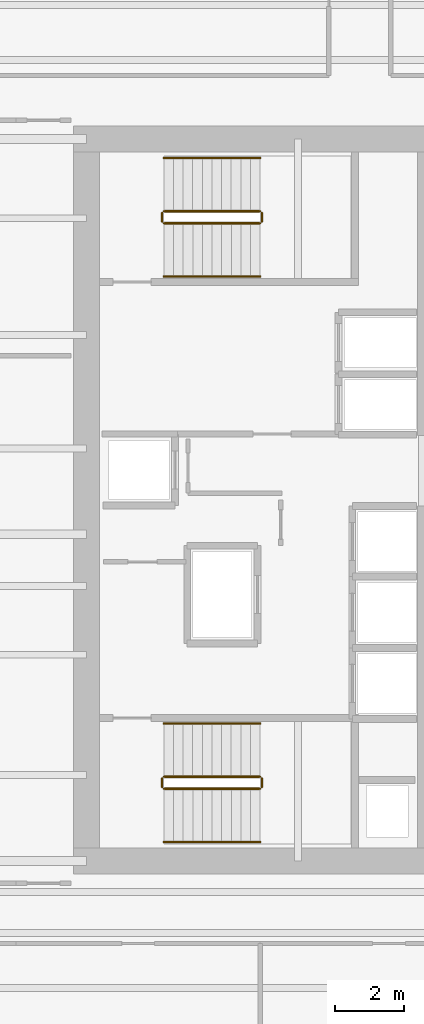
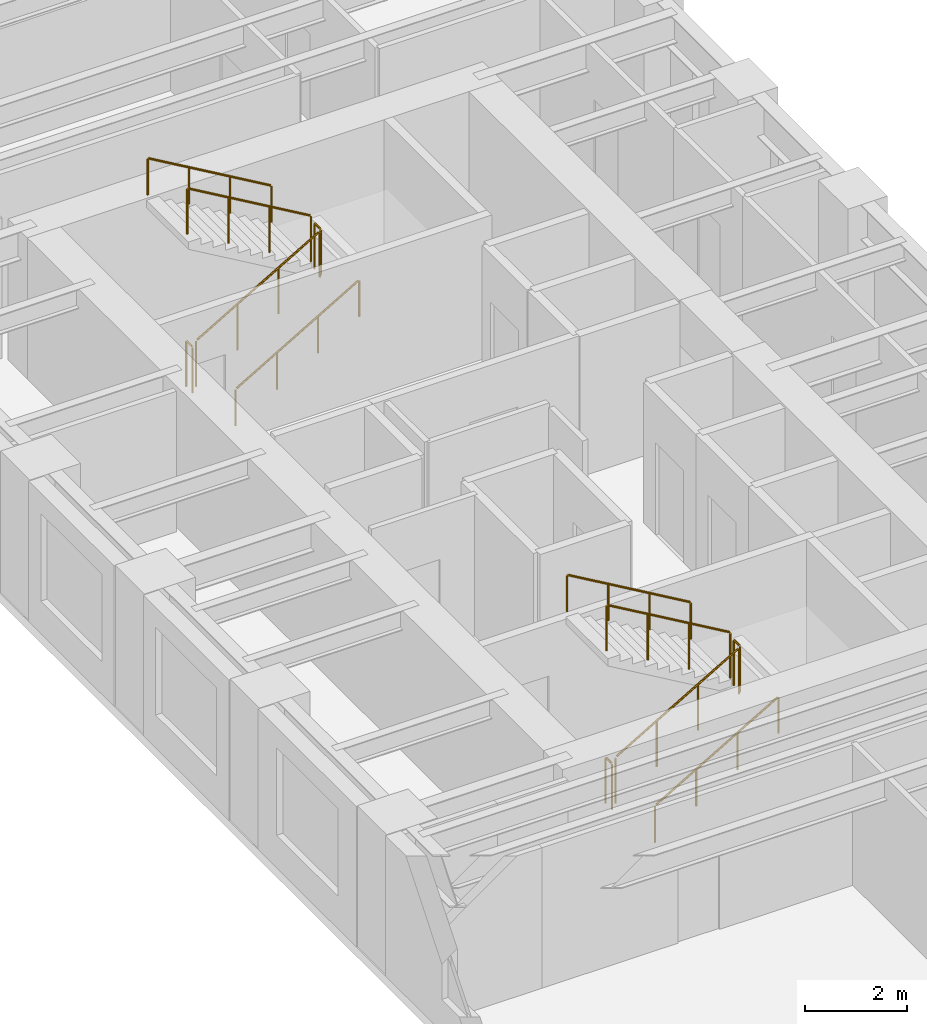
# One storey, part 13 of 14: 12 railings.
"""IFC4 building model written with IfcOpenShell, lengths in metres."""

import ifcopenshell
import ifcopenshell.guid

model = None  # the IFC model being written
_history = None  # IfcOwnerHistory: only IFC2X3 demands one
_inside = {}  # id of a spatial element -> (the spatial element, [elements in it])
_under = {}  # id of a project, library or spatial element -> (it, [spatial elements below it])
_declared = {}  # id of a project -> (the project, [libraries it declares])
_typed = {}  # id of a type object -> (the type object, [elements of that type])
_made_of = {}  # id of a material, layer set ... -> (it, [elements and type objects made of it])


def new_model(schema):
    """Start an empty IFC model of exactly this schema.

    Asked for "IFC4X3", IfcOpenShell would pick the latest addendum, in which some entities
    have other attributes; the version numbers below select the first issue.
    IFC2X3 requires an IfcOwnerHistory on every rooted entity: one is made here for all.
    """
    global model, _history
    if schema == "IFC4X3":
        model = ifcopenshell.file(schema_version=(4, 3, 0, 0))
    else:
        model = ifcopenshell.file(schema=schema)
    _inside.clear()
    _under.clear()
    _declared.clear()
    _typed.clear()
    _made_of.clear()
    _history = None
    if model.schema == "IFC2X3":
        org = make("IfcOrganization", Name="unknown")
        user = make(
            "IfcPersonAndOrganization",
            ThePerson=make("IfcPerson", FamilyName="unknown"),
            TheOrganization=org,
        )
        app = make(
            "IfcApplication",
            ApplicationDeveloper=org,
            Version="unknown",
            ApplicationFullName="unknown",
            ApplicationIdentifier="unknown",
        )
        _history = make(
            "IfcOwnerHistory",
            OwningUser=user,
            OwningApplication=app,
            ChangeAction="ADDED",
            CreationDate=0,
        )
    return model


def make(cls, **values):
    """One entity of the class cls with the attributes given. An attribute that is None is left unset."""
    return model.create_entity(
        cls, **{name: value for name, value in values.items() if value is not None}
    )


def rooted(cls, **values):
    """An entity with a GlobalId (a new one), such as an element, a storey or a relation."""
    return make(cls, GlobalId=ifcopenshell.guid.new(), OwnerHistory=_history, **values)


def si_unit(unit_type, name, prefix=None):
    """IfcSIUnit, for example si_unit("LENGTHUNIT", "METRE", prefix="MILLI")."""
    return make("IfcSIUnit", UnitType=unit_type, Prefix=prefix, Name=name)


def assignment(units):
    """IfcUnitAssignment: the units of a project."""
    return None if units is None else make("IfcUnitAssignment", Units=units)


def point(xyz):
    """IfcCartesianPoint."""
    return None if xyz is None else make("IfcCartesianPoint", Coordinates=xyz)


def direction(xyz):
    """IfcDirection."""
    return None if xyz is None else make("IfcDirection", DirectionRatios=xyz)


def frame(location, z_axis=None, x_axis=None):
    """IfcAxis2Placement3D, a coordinate frame: its origin and axes. An axis left out is left unset."""
    return make(
        "IfcAxis2Placement3D",
        Location=point(location),
        Axis=direction(z_axis),
        RefDirection=direction(x_axis),
    )


def frame_2d(location, x_axis=None):
    """IfcAxis2Placement2D, a coordinate frame in the plane: its origin and x axis."""
    return make(
        "IfcAxis2Placement2D", Location=point(location), RefDirection=direction(x_axis)
    )


def origin():
    """The frame at (0, 0, 0) with its axes left unset."""
    return frame((0.0, 0.0, 0.0))


def origin_2d():
    """The frame at (0, 0) in the plane with its x axis left unset."""
    return frame_2d((0.0, 0.0))


def place(relative_to, where):
    """IfcLocalPlacement: puts the frame where relative to a parent placement (None: the world)."""
    return make(
        "IfcLocalPlacement", PlacementRelTo=relative_to, RelativePlacement=where
    )


def context(
    kind, dimensions, precision=None, world=None, true_north=None, identifier=None
):
    """IfcGeometricRepresentationContext, for example the 3D "Model" context."""
    return make(
        "IfcGeometricRepresentationContext",
        ContextIdentifier=identifier,
        ContextType=kind,
        CoordinateSpaceDimension=dimensions,
        Precision=precision,
        WorldCoordinateSystem=world,
        TrueNorth=true_north,
    )


def subcontext(parent, identifier, kind, view, scale=None):
    """IfcGeometricRepresentationSubContext, for example "Body" below "Model"."""
    return make(
        "IfcGeometricRepresentationSubContext",
        ContextIdentifier=identifier,
        ContextType=kind,
        ParentContext=parent,
        TargetScale=scale,
        TargetView=view,
    )


def project(units=None, contexts=None):
    """IfcProject with its units and contexts."""
    return rooted(
        "IfcProject",
        Name="project",
        RepresentationContexts=contexts,
        UnitsInContext=assignment(units),
    )


def spatial(cls, under=None, at=None, **own):
    """A site, building, storey or space (cls), placed at a placement, below another one or the project."""
    s = rooted(cls, ObjectPlacement=at, **own)
    if under is not None:
        _under.setdefault(under.id(), (under, []))[1].append(s)
    return s


def profile(cls, at=None, kind="AREA", **sizes):
    """A parametric profile (cls). Its sizes go by their IFC names, for example OverallWidth=200.0."""
    return make(cls, ProfileType=kind, Position=at, **sizes)


def circle(**sizes):
    """IfcCircleProfileDef."""
    return profile("IfcCircleProfileDef", **sizes)


def extrude(swept, where, along, depth):
    """IfcExtrudedAreaSolid: the profile swept, set in the frame where, extruded along a direction by depth."""
    return make(
        "IfcExtrudedAreaSolid",
        SweptArea=swept,
        Position=where,
        ExtrudedDirection=direction(along),
        Depth=depth,
    )


def shape(context_of_items, identifier, shape_type, items):
    """IfcShapeRepresentation: the items that make up one representation, for example the "Body"."""
    return make(
        "IfcShapeRepresentation",
        ContextOfItems=context_of_items,
        RepresentationIdentifier=identifier,
        RepresentationType=shape_type,
        Items=items,
    )


def source(mapping_origin, context_of_items, identifier, shape_type, items):
    """IfcRepresentationMap: a shape defined once, which mapped items show again and again."""
    return make(
        "IfcRepresentationMap",
        MappingOrigin=mapping_origin,
        MappedRepresentation=shape(context_of_items, identifier, shape_type, items),
    )


def transform(
    local_origin,
    x_axis=None,
    y_axis=None,
    z_axis=None,
    scale=None,
    scale2=None,
    scale3=None,
    uniform=True,
):
    """IfcCartesianTransformationOperator3D, or its non-uniform kind. x_axis, y_axis, z_axis: its Axis1, 2, 3."""
    if uniform:
        return make(
            "IfcCartesianTransformationOperator3D",
            Axis1=direction(x_axis),
            Axis2=direction(y_axis),
            LocalOrigin=point(local_origin),
            Scale=scale,
            Axis3=direction(z_axis),
        )
    return make(
        "IfcCartesianTransformationOperator3DnonUniform",
        Axis1=direction(x_axis),
        Axis2=direction(y_axis),
        LocalOrigin=point(local_origin),
        Scale=scale,
        Axis3=direction(z_axis),
        Scale2=scale2,
        Scale3=scale3,
    )


def mapped(mapping_source, mapping_target):
    """IfcMappedItem: shows the shape of a source again, moved by a transform."""
    return make(
        "IfcMappedItem", MappingSource=mapping_source, MappingTarget=mapping_target
    )


def material(Name=None, Category=None):
    """IfcMaterial."""
    return make("IfcMaterial", Name=Name, Category=Category)


def layer(
    of_material, thickness, ventilated=None, Name=None, Category=None, Priority=None
):
    """IfcMaterialLayer: one layer of a wall or slab, of a material (None: an air gap)."""
    return make(
        "IfcMaterialLayer",
        Material=of_material,
        LayerThickness=thickness,
        IsVentilated=ventilated,
        Name=Name,
        Category=Category,
        Priority=Priority,
    )


def layer_set(layers, Name=None):
    """IfcMaterialLayerSet."""
    return make("IfcMaterialLayerSet", MaterialLayers=layers, LayerSetName=Name)


def made_of(thing, what):
    """Note that an element or type object is made of a material, layer set ...; save() writes the relation."""
    if what is not None:
        _made_of.setdefault(what.id(), (what, []))[1].append(thing)
    return thing


def type_object(cls, material=None, **own):
    """A type object (cls), such as IfcWallType, which elements share."""
    return made_of(rooted(cls, **own), material)


def element(
    cls,
    number,
    at=None,
    inside=None,
    cuts=None,
    type_object=None,
    material=None,
    context=None,
    identifier="Body",
    shape_type=None,
    held_by="IfcProductDefinitionShape",
    body=None,
    shapes=None,
    **own,
):
    """One element of the class cls, such as IfcWall. Its Tag is "e" and its number.

    at: its placement. inside: the storey or other place that contains it. cuts: it is an
    opening in that element (IfcRelVoidsElement). A single representation is given by context,
    identifier, shape_type and body (its items); several are given by shapes. held_by: the class
    of the entity that holds the representations. save() writes the other relations.
    """
    e = rooted(cls, Tag="e%d" % number, ObjectPlacement=at, **own)
    if body is not None:
        shapes = [shape(context, identifier, shape_type, body)]
    if shapes is not None:
        e.Representation = make(held_by, Representations=shapes)
    if inside is not None:
        _inside.setdefault(inside.id(), (inside, []))[1].append(e)
    if cuts is not None:
        rooted(
            "IfcRelVoidsElement", RelatingBuildingElement=cuts, RelatedOpeningElement=e
        )
    if type_object is not None:
        _typed.setdefault(type_object.id(), (type_object, []))[1].append(e)
    return made_of(e, material)


def aggregate(whole, parts):
    """IfcRelAggregates: a whole, such as a stair, and the parts it consists of."""
    return rooted("IfcRelAggregates", RelatingObject=whole, RelatedObjects=parts)


def save(model, path):
    """Write the relations noted so far, then the file.

    IfcRelAggregates (storeys below a building ...), IfcRelContainedInSpatialStructure (elements
    in a storey), IfcRelDefinesByType, IfcRelAssociatesMaterial and IfcRelDeclares: one each for
    every whole, place, type object, material and project.
    """
    for whole, parts in _under.values():
        aggregate(whole, parts)
    for where, things in _inside.values():
        rooted(
            "IfcRelContainedInSpatialStructure",
            RelatedElements=things,
            RelatingStructure=where,
        )
    for kind, things in _typed.values():
        rooted("IfcRelDefinesByType", RelatedObjects=things, RelatingType=kind)
    for what, things in _made_of.values():
        rooted("IfcRelAssociatesMaterial", RelatedObjects=things, RelatingMaterial=what)
    for by, libraries in _declared.values():
        rooted("IfcRelDeclares", RelatingContext=by, RelatedDefinitions=libraries)
    model.write(path)


model = new_model("IFC4")

# Units and contexts
model_context = context("Model", 3, precision=1e-05, world=origin(), true_north=direction((0.0, 1.0)))
body_context = subcontext(model_context, "Body", "Model", "MODEL_VIEW")
ifc_project = project(units=[si_unit("LENGTHUNIT", "METRE"), si_unit("AREAUNIT", "SQUARE_METRE"), si_unit("VOLUMEUNIT", "CUBIC_METRE"), si_unit("PLANEANGLEUNIT", "RADIAN"), si_unit("MASSUNIT", "GRAM", prefix="KILO")], contexts=[model_context])

# Site, building, storey
site_placement = place(None, origin())
site = spatial("IfcSite", under=ifc_project, at=site_placement, CompositionType="ELEMENT")
building_placement = place(site_placement, origin())
building = spatial("IfcBuilding", under=site, at=building_placement, Name="Kharzan Plaza Tower", CompositionType="ELEMENT")
storey_placement = place(building_placement, frame((0.0, 0.0, 88.199951171875)))
storey = spatial("IfcBuildingStorey", under=building, at=storey_placement, Name="L23", CompositionType="ELEMENT", Elevation=88.199951171875)

# Railings
ifc_material_1 = material(Name="Painted Galvanized Architectural Steel", Category="steel")
ifc_layer_1 = layer(ifc_material_1, 0.074951171875)
ifc_layer_set_1 = layer_set([ifc_layer_1], Name="Painted Galvanized Architectural Steel")
railing_type_1 = type_object("IfcRailingType", Name="RL-GUARD-1120", PredefinedType="BALUSTRADE", material=ifc_layer_set_1)
shared_shape_1 = source(origin(), body_context, "Body", "SweptSolid", [
    extrude(circle(Radius=0.02392578125, at=origin_2d()), frame((0.0, 0.0263671875, 1.09619140625), z_axis=(0.0, 1.0, 0.0), x_axis=(-1.0, 0.0, 0.0)), (0.0, 0.0, 1.0), 0.197021484375),
    extrude(circle(Radius=0.02099609375, at=origin_2d()), origin(), (0.0, 0.0, 1.0), 1.072021484375),
    extrude(circle(Radius=0.02099609375, at=origin_2d()), frame((0.0, 0.25, 0.0)), (0.0, 0.0, 1.0), 1.072021484375),
])
for number, where, name in (
    (1, (9.60009765625, 10.64990234375, 1.800048828125), "L23 ST-1 stair guard 2"),
    (2, (6.699951171875, 10.64990234375, 0.0), "L23 ST-1 stair guard 4"),
    (3, (9.60009765625, 27.10009765625, 1.800048828125), "L23 ST-2 stair guard 2"),
    (4, (6.699951171875, 27.10009765625, 0.0), "L23 ST-2 stair guard 4"),
):
    element("IfcRailing", number, at=place(storey_placement, frame(where)), inside=storey, type_object=railing_type_1, Name=name, PredefinedType="BALUSTRADE", context=body_context, shape_type="MappedRepresentation", body=[
        mapped(shared_shape_1, transform((0.0, 0.0, 0.0), x_axis=(1.0, 0.0, 0.0), y_axis=(0.0, 1.0, 0.0), z_axis=(0.0, 0.0, 1.0))),
    ])
shared_shape_2 = source(origin(), body_context, "Body", "SweptSolid", [
    extrude(circle(Radius=0.02392578125, at=origin_2d()), frame((0.02294921875, 0.0, 1.109375), z_axis=(0.863360870873, 0.0, 0.504586966384), x_axis=(0.0, 1.0, 0.0)), (0.0, 0.0, 1.0), 3.190185546875),
    extrude(circle(Radius=0.02099609375, at=origin_2d()), origin(), (0.0, 0.0, 1.0), 1.072021484375),
    extrude(circle(Radius=0.02099609375, at=origin_2d()), frame((0.933349609375, 0.0, 0.54541015625)), (0.0, 0.0, 1.0), 1.072021484375),
    extrude(circle(Radius=0.02099609375, at=origin_2d()), frame((1.86669921875, 0.0, 1.091064453125)), (0.0, 0.0, 1.0), 1.072021484375),
    extrude(circle(Radius=0.02099609375, at=origin_2d()), frame((2.800048828125, 0.0, 1.636474609375)), (0.0, 0.0, 1.0), 1.072021484375),
])
for number, where, name in (
    (5, (6.75, 10.60009765625, 0.16357421875), "L23 ST-1 stair guard 1"),
    (6, (6.75, 27.050048828125, 0.16357421875), "L23 ST-2 stair guard 1"),
):
    element("IfcRailing", number, at=place(storey_placement, frame(where)), inside=storey, type_object=railing_type_1, Name=name, PredefinedType="BALUSTRADE", context=body_context, shape_type="MappedRepresentation", body=[
        mapped(shared_shape_2, transform((0.0, 0.0, 0.0), x_axis=(1.0, 0.0, 0.0), y_axis=(0.0, 1.0, 0.0), z_axis=(0.0, 0.0, 1.0))),
    ])
shared_shape_3 = source(origin(), body_context, "Body", "SweptSolid", [
    extrude(circle(Radius=0.02392578125, at=origin_2d()), frame((-0.02294921875, 0.0, 1.109375), z_axis=(-0.863360870873, 0.0, 0.504586966384), x_axis=(0.0, -1.0, 0.0)), (0.0, 0.0, 1.0), 3.190185546875),
    extrude(circle(Radius=0.02099609375, at=origin_2d()), origin(), (0.0, 0.0, 1.0), 1.072021484375),
    extrude(circle(Radius=0.02099609375, at=origin_2d()), frame((-0.933349609375, 0.0, 0.54541015625)), (0.0, 0.0, 1.0), 1.072021484375),
    extrude(circle(Radius=0.02099609375, at=origin_2d()), frame((-1.86669921875, 0.0, 1.091064453125)), (0.0, 0.0, 1.0), 1.072021484375),
    extrude(circle(Radius=0.02099609375, at=origin_2d()), frame((-2.800048828125, 0.0, 1.636474609375)), (0.0, 0.0, 1.0), 1.072021484375),
])
for number, where, name in (
    (7, (9.550048828125, 10.949951171875, 1.963623046875), "L23 ST-1 stair guard 3"),
    (8, (9.550048828125, 27.39990234375, 1.963623046875), "L23 ST-2 stair guard 3"),
):
    element("IfcRailing", number, at=place(storey_placement, frame(where)), inside=storey, type_object=railing_type_1, Name=name, PredefinedType="BALUSTRADE", context=body_context, shape_type="MappedRepresentation", body=[
        mapped(shared_shape_3, transform((0.0, 0.0, 0.0), x_axis=(1.0, 0.0, 0.0), y_axis=(0.0, 1.0, 0.0), z_axis=(0.0, 0.0, 1.0))),
    ])
ifc_material_2 = material(Name="Brushed Stainless Steel", Category="steel")
ifc_layer_2 = layer(ifc_material_2, 0.050048828125)
ifc_layer_set_2 = layer_set([ifc_layer_2], Name="Brushed Stainless Steel")
railing_type_2 = type_object("IfcRailingType", Name="RL-STAIR-HR920", PredefinedType="HANDRAIL", material=ifc_layer_set_2)
shared_shape_4 = source(origin(), body_context, "Body", "SweptSolid", [
    extrude(circle(Radius=0.02392578125, at=origin_2d()), frame((0.02294921875, 0.0, 0.88916015625), z_axis=(0.863360870873, 0.0, 0.504586966384), x_axis=(0.0, 1.0, 0.0)), (0.0, 0.0, 1.0), 3.190185546875),
    extrude(circle(Radius=0.02099609375, at=origin_2d()), origin(), (0.0, 0.0, 1.0), 0.851806640625),
    extrude(circle(Radius=0.02099609375, at=origin_2d()), frame((0.933349609375, 0.0, 0.54541015625)), (0.0, 0.0, 1.0), 0.851806640625),
    extrude(circle(Radius=0.02099609375, at=origin_2d()), frame((1.86669921875, 0.0, 1.091064453125)), (0.0, 0.0, 1.0), 0.851806640625),
    extrude(circle(Radius=0.02099609375, at=origin_2d()), frame((2.800048828125, 0.0, 1.636474609375)), (0.0, 0.0, 1.0), 0.851806640625),
])
for number, where, name in (
    (9, (6.75, 9.050048828125, 0.16357421875), "L23 ST-1 stair handrail 1"),
    (10, (6.75, 25.5, 0.16357421875), "L23 ST-2 stair handrail 1"),
):
    element("IfcRailing", number, at=place(storey_placement, frame(where)), inside=storey, type_object=railing_type_2, Name=name, PredefinedType="HANDRAIL", context=body_context, shape_type="MappedRepresentation", body=[
        mapped(shared_shape_4, transform((0.0, 0.0, 0.0), x_axis=(1.0, 0.0, 0.0), y_axis=(0.0, 1.0, 0.0), z_axis=(0.0, 0.0, 1.0))),
    ])
shared_shape_5 = source(origin(), body_context, "Body", "SweptSolid", [
    extrude(circle(Radius=0.02392578125, at=origin_2d()), frame((-0.02294921875, 0.0, 0.88916015625), z_axis=(-0.863360870873, 0.0, 0.504586966384), x_axis=(0.0, -1.0, 0.0)), (0.0, 0.0, 1.0), 3.190185546875),
    extrude(circle(Radius=0.02099609375, at=origin_2d()), origin(), (0.0, 0.0, 1.0), 0.851806640625),
    extrude(circle(Radius=0.02099609375, at=origin_2d()), frame((-0.933349609375, 0.0, 0.54541015625)), (0.0, 0.0, 1.0), 0.851806640625),
    extrude(circle(Radius=0.02099609375, at=origin_2d()), frame((-1.86669921875, 0.0, 1.091064453125)), (0.0, 0.0, 1.0), 0.851806640625),
    extrude(circle(Radius=0.02099609375, at=origin_2d()), frame((-2.800048828125, 0.0, 1.636474609375)), (0.0, 0.0, 1.0), 0.851806640625),
])
for number, where, name in (
    (11, (9.550048828125, 12.5, 1.963623046875), "L23 ST-1 stair handrail 2"),
    (12, (9.550048828125, 28.949951171875, 1.963623046875), "L23 ST-2 stair handrail 2"),
):
    element("IfcRailing", number, at=place(storey_placement, frame(where)), inside=storey, type_object=railing_type_2, Name=name, PredefinedType="HANDRAIL", context=body_context, shape_type="MappedRepresentation", body=[
        mapped(shared_shape_5, transform((0.0, 0.0, 0.0), x_axis=(1.0, 0.0, 0.0), y_axis=(0.0, 1.0, 0.0), z_axis=(0.0, 0.0, 1.0))),
    ])

save(model, "model.ifc")
